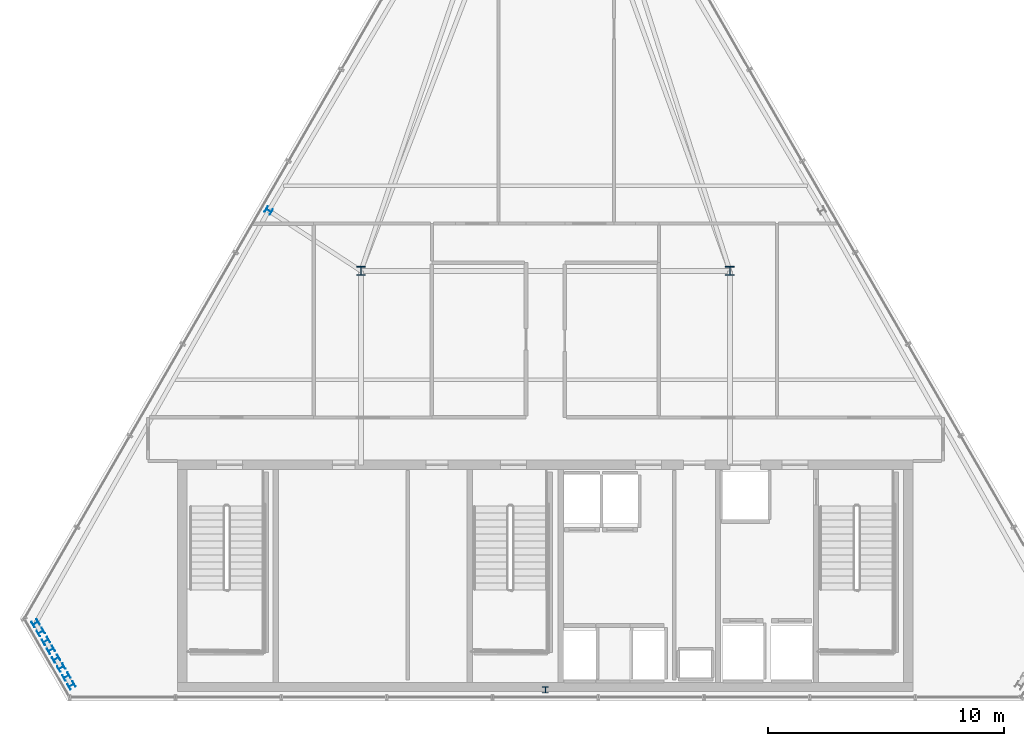
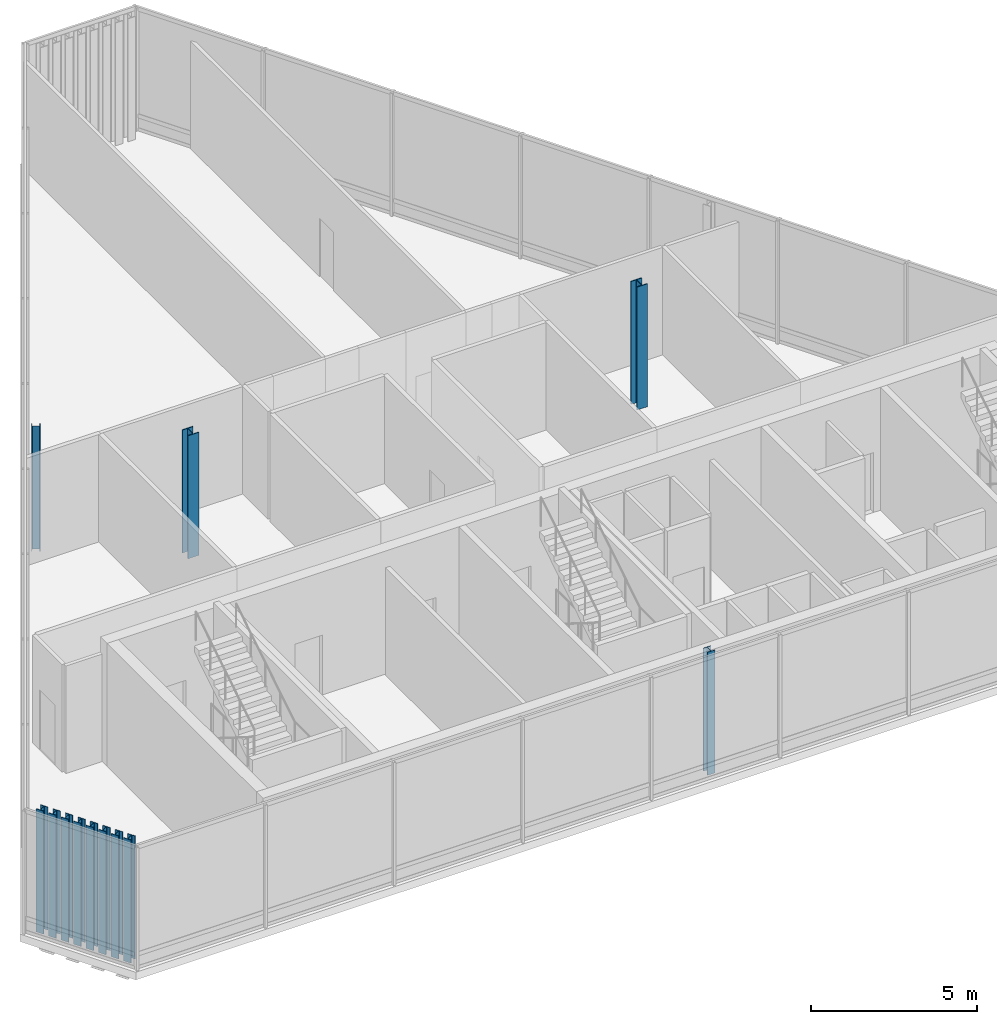
# One storey, part 1 of 25: 12 columns.
"""IFC4 building model written with IfcOpenShell, lengths in metres."""

from ifc_helpers import new_model, si_unit, direction, frame, origin, origin_2d, place, context, subcontext, project, spatial, i_section, extrude, material, material_profile, profile_set, type_object, element, save


model = new_model("IFC4")

# Units and contexts
model_context = context("Model", 3, precision=1e-05, world=origin(), true_north=direction((0.0, 1.0)))
body_context = subcontext(model_context, "Body", "Model", "MODEL_VIEW")
ifc_project = project(units=[si_unit("LENGTHUNIT", "METRE"), si_unit("AREAUNIT", "SQUARE_METRE"), si_unit("VOLUMEUNIT", "CUBIC_METRE"), si_unit("PLANEANGLEUNIT", "RADIAN"), si_unit("MASSUNIT", "GRAM", prefix="KILO")], contexts=[model_context])

# Site, building, storey
site_placement = place(None, origin())
site = spatial("IfcSite", under=ifc_project, at=site_placement, CompositionType="ELEMENT")
building_placement = place(site_placement, origin())
building = spatial("IfcBuilding", under=site, at=building_placement, Name="Ndaravel Arena Tower", CompositionType="ELEMENT")
storey_placement = place(building_placement, frame((0.0, 0.0, 298.5)))
storey = spatial("IfcBuildingStorey", under=building, at=storey_placement, Name="L73", CompositionType="ELEMENT", Elevation=298.5)

# Columns
ifc_material_1 = material(Name="Steel S355", Category="steel")
ifc_material_profile_1 = material_profile(ifc_material_1, i_section(OverallWidth=0.2587890625, OverallDepth=0.2666015625, WebThickness=0.0126953125, FlangeThickness=0.0205078125, FilletRadius=0.0126953125, at=origin_2d()), Name="UC 254x254x107")
ifc_profile_set_1 = profile_set([ifc_material_profile_1], Name="Steel S355")
column_type_1 = type_object("IfcColumnType", Name="COL-CRN-UC107", PredefinedType="COLUMN", material=ifc_profile_set_1)
for number, where, z_axis, x_axis, name in (
    (1, (42.0, 5.47998046875, 0.0), (0.0, 0.0, 1.0), (1.0, 0.0, 0.0), "L73 Framed Tube Column TC-01"),
    (2, (30.2998046875, 25.745361328125, 0.0), (0.0, 0.0, 1.0), (0.5, 0.866025403784, 0.0), "L73 Framed Tube Column TC-19"),
    (3, (20.443115234375, 8.29736328125, 0.0), (0.0, 0.0, 1.0), (-0.5, 0.866025403784, 0.0), "L73 Framed Tube Column TC-20"),
    (4, (20.659912109375, 7.921630859375, 0.0), (0.0, 0.0, 1.0), (-0.5, 0.866025403784, 0.0), "L73 Framed Tube Column TC-21"),
    (5, (20.876953125, 7.546142578125, 0.0), (0.0, 0.0, 1.0), (-0.5, 0.866025403784, 0.0), "L73 Framed Tube Column TC-22"),
    (6, (21.09375, 7.17041015625, 0.0), (0.0, 0.0, 1.0), (-0.5, 0.866025403784, 0.0), "L73 Framed Tube Column TC-23"),
    (7, (21.310546875, 6.794921875, 0.0), (0.0, 0.0, 1.0), (-0.5, 0.866025403784, 0.0), "L73 Framed Tube Column TC-24"),
    (8, (21.527587890625, 6.419189453125, 0.0), (0.0, 0.0, 1.0), (-0.5, 0.866025403784, 0.0), "L73 Framed Tube Column TC-25"),
    (9, (21.744384765625, 6.04345703125, 0.0), (0.0, 0.0, 1.0), (-0.5, 0.866025403784, 0.0), "L73 Framed Tube Column TC-26"),
    (10, (21.961181640625, 5.667724609375, 0.0), (0.0, 0.0, 1.0), (-0.5, 0.866025403784, 0.0), "L73 Framed Tube Column TC-27"),
):
    element("IfcColumn", number, at=place(storey_placement, frame(where, z_axis=z_axis, x_axis=x_axis)), inside=storey, type_object=column_type_1, Name=name, PredefinedType="COLUMN", context=body_context, shape_type="SweptSolid", body=[
        extrude(i_section(OverallWidth=0.2587890625, OverallDepth=0.2666015625, WebThickness=0.0126953125, FlangeThickness=0.0205078125, FilletRadius=0.0126953125, at=origin_2d()), origin(), (0.0, 0.0, 1.0), 4.52001953125),
    ])
ifc_material_2 = material(Name="Steel S355", Category="steel")
ifc_material_profile_2 = material_profile(ifc_material_2, i_section(OverallWidth=0.374755859375, OverallDepth=0.37451171875, WebThickness=0.0166015625, FlangeThickness=0.027099609375, FilletRadius=0.01513671875, at=origin_2d()), Name="UC 356x368x202")
ifc_profile_set_2 = profile_set([ifc_material_profile_2], Name="Steel S355")
column_type_2 = type_object("IfcColumnType", Name="COL-CRN-UC202", PredefinedType="COLUMN", material=ifc_profile_set_2)
for number, where, z_axis, x_axis, name in (
    (11, (34.199951171875, 23.199951171875, 0.0), (0.0, 0.0, 1.0), (1.0, 0.0, 0.0), "L73 Interior Spine Column IC-01"),
    (12, (49.800048828125, 23.199951171875, 0.0), (0.0, 0.0, 1.0), (1.0, 0.0, 0.0), "L73 Interior Spine Column IC-02"),
):
    element("IfcColumn", number, at=place(storey_placement, frame(where, z_axis=z_axis, x_axis=x_axis)), inside=storey, type_object=column_type_2, Name=name, PredefinedType="COLUMN", context=body_context, shape_type="SweptSolid", body=[
        extrude(i_section(OverallWidth=0.374755859375, OverallDepth=0.37451171875, WebThickness=0.0166015625, FlangeThickness=0.027099609375, FilletRadius=0.01513671875, at=origin_2d()), origin(), (0.0, 0.0, 1.0), 4.52001953125),
    ])

save(model, "model.ifc")
